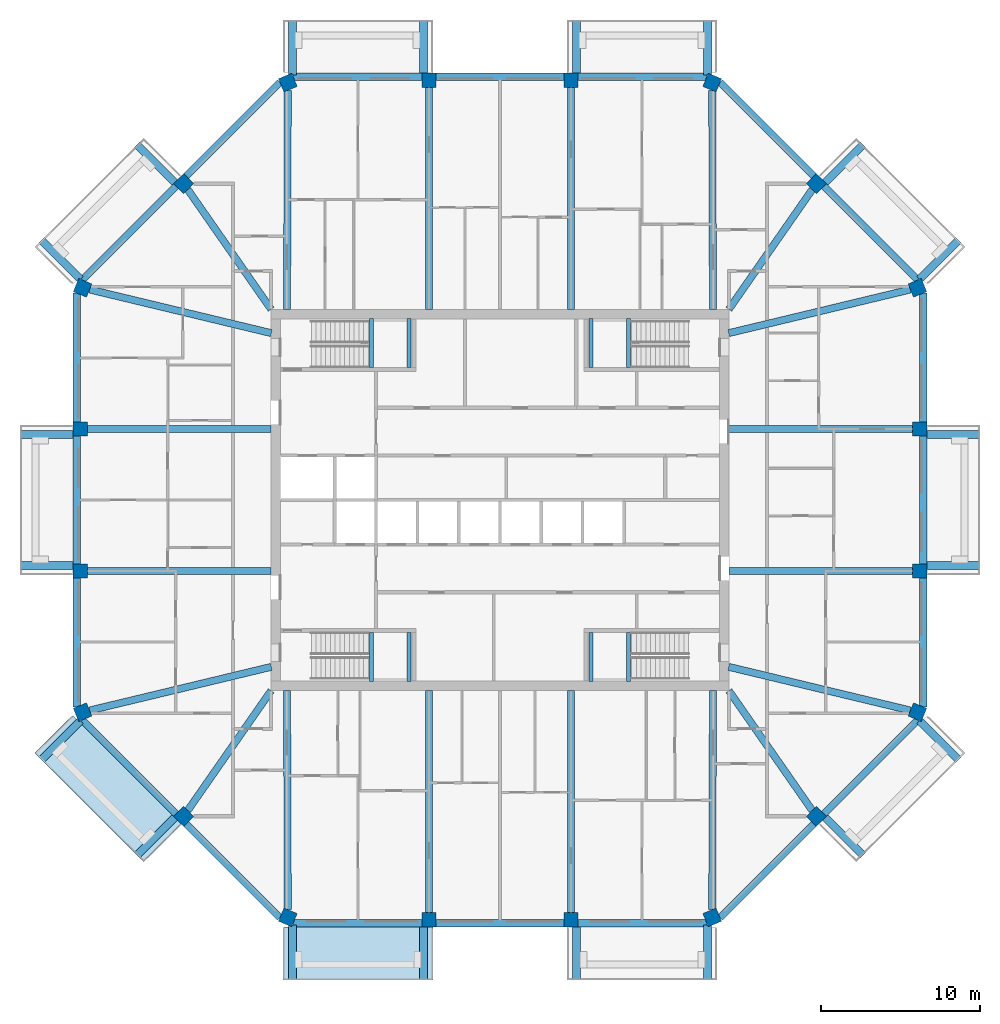
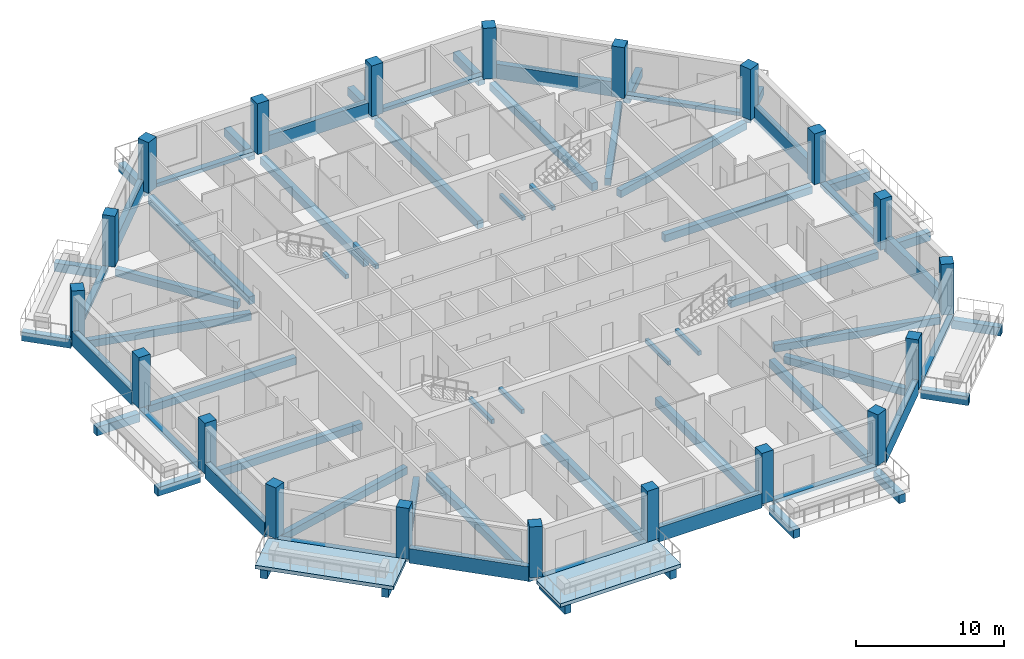
# One storey, part 1 of 13: 68 beams, 20 columns, 2 slabs.
"""IFC4 building model written with IfcOpenShell, lengths in metres."""

from ifc_helpers import new_model, si_unit, direction, frame, origin, origin_2d, place, context, subcontext, project, spatial, polyline, rectangle, outline, extrude, material, layer, layer_set, material_profile, profile_set, type_object, element, save


model = new_model("IFC4")

# Units and contexts
model_context = context("Model", 3, precision=1e-05, world=origin(), true_north=direction((0.0, 1.0)))
body_context = subcontext(model_context, "Body", "Model", "MODEL_VIEW")
ifc_project = project(units=[si_unit("LENGTHUNIT", "METRE"), si_unit("AREAUNIT", "SQUARE_METRE"), si_unit("VOLUMEUNIT", "CUBIC_METRE"), si_unit("PLANEANGLEUNIT", "RADIAN"), si_unit("MASSUNIT", "GRAM", prefix="KILO")], contexts=[model_context])

# Site, building, storey
site_placement = place(None, origin())
site = spatial("IfcSite", under=ifc_project, at=site_placement, CompositionType="ELEMENT")
building_placement = place(site_placement, origin())
building = spatial("IfcBuilding", under=site, at=building_placement, Name="Msitu Wima Residences", CompositionType="ELEMENT")
storey_placement = place(building_placement, frame((0.0, 0.0, 285.300048828125)))
storey = spatial("IfcBuildingStorey", under=building, at=storey_placement, Name="L66", CompositionType="ELEMENT", Elevation=285.300048828125)

# Columns
ifc_material_1 = material(Name="Concrete C50/60", Category="concrete")
ifc_material_profile_1 = material_profile(ifc_material_1, rectangle(XDim=0.89990234375, YDim=0.89990234375, at=origin_2d()), Name="RC 900x900")
ifc_profile_set_1 = profile_set([ifc_material_profile_1], Name="Concrete C50/60")
column_type = type_object("IfcColumnType", Name="Column RC 900x900 Concrete C50/60", PredefinedType="COLUMN", material=ifc_profile_set_1)
for number, where, z_axis, x_axis, name in (
    (1, (26.261962890625, -13.3486328125, 0.0), (0.0, 0.0, 1.0), (0.382683496864, 0.923879505795, 0.0), "Column L66 C-E0"),
    (2, (26.39990234375, -4.46875, 0.0), (0.0, 0.0, 1.0), (0.0, 1.0, 0.0), "Column L66 C-E1"),
    (3, (26.39990234375, 4.46875, 0.0), (0.0, 0.0, 1.0), (0.0, 1.0, 0.0), "Column L66 C-E2"),
    (4, (26.261962890625, 13.3486328125, 0.0), (0.0, 0.0, 1.0), (-0.382683496864, 0.923879505795, 0.0), "Column L66 C-NE0"),
    (5, (19.90283203125, 19.90283203125, 0.0), (0.0, 0.0, 1.0), (-0.707106781187, 0.707106781187, 0.0), "Column L66 C-NE1"),
    (6, (13.3486328125, 26.261962890625, 0.0), (0.0, 0.0, 1.0), (-0.923879505795, 0.382683496864, 0.0), "Column L66 C-N0"),
    (7, (4.46875, 26.39990234375, 0.0), (0.0, 0.0, 1.0), (-1.0, 0.0, 0.0), "Column L66 C-N1"),
    (8, (-4.46875, 26.39990234375, 0.0), (0.0, 0.0, 1.0), (-1.0, 0.0, 0.0), "Column L66 C-N2"),
    (9, (-13.3486328125, 26.261962890625, 0.0), (0.0, 0.0, 1.0), (-0.923879505795, -0.382683496864, 0.0), "Column L66 C-NW0"),
    (10, (-19.90283203125, 19.90283203125, 0.0), (0.0, 0.0, 1.0), (-0.707106781187, -0.707106781187, 0.0), "Column L66 C-NW1"),
    (11, (-26.261962890625, 13.3486328125, 0.0), (0.0, 0.0, 1.0), (-0.382683496864, -0.923879505795, 0.0), "Column L66 C-W0"),
    (12, (-26.39990234375, 4.46875, 0.0), (0.0, 0.0, 1.0), (0.0, -1.0, 0.0), "Column L66 C-W1"),
    (13, (-26.39990234375, -4.46875, 0.0), (0.0, 0.0, 1.0), (0.0, -1.0, 0.0), "Column L66 C-W2"),
    (14, (-26.261962890625, -13.3486328125, 0.0), (0.0, 0.0, 1.0), (0.382683496864, -0.923879505795, 0.0), "Column L66 C-SW0"),
    (15, (-19.90283203125, -19.90283203125, 0.0), (0.0, 0.0, 1.0), (0.707106781187, -0.707106781187, 0.0), "Column L66 C-SW1"),
    (16, (-13.3486328125, -26.261962890625, 0.0), (0.0, 0.0, 1.0), (0.923879505795, -0.382683496864, 0.0), "Column L66 C-S0"),
    (17, (-4.46875, -26.39990234375, 0.0), (0.0, 0.0, 1.0), (1.0, 0.0, 0.0), "Column L66 C-S1"),
    (18, (4.46875, -26.39990234375, 0.0), (0.0, 0.0, 1.0), (1.0, 0.0, 0.0), "Column L66 C-S2"),
    (19, (13.3486328125, -26.261962890625, 0.0), (0.0, 0.0, 1.0), (0.923879505795, 0.382683496864, 0.0), "Column L66 C-SE0"),
    (20, (19.90283203125, -19.90283203125, 0.0), (0.0, 0.0, 1.0), (0.707106781187, 0.707106781187, 0.0), "Column L66 C-SE1"),
):
    element("IfcColumn", number, at=place(storey_placement, frame(where, z_axis=z_axis, x_axis=x_axis)), inside=storey, type_object=column_type, Name=name, PredefinedType="COLUMN", context=body_context, shape_type="SweptSolid", body=[
        extrude(rectangle(XDim=0.89990234375, YDim=0.89990234375, at=origin_2d()), origin(), (0.0, 0.0, 1.0), 4.199951171875),
    ])

# Beams
ifc_material_profile_2 = material_profile(ifc_material_1, rectangle(XDim=0.449951171875, YDim=0.60009765625, at=origin_2d()), Name="RC 450x600")
ifc_profile_set_2 = profile_set([ifc_material_profile_2], Name="Concrete C50/60")
beam_type_1 = type_object("IfcBeamType", Name="Beam RC 450x600 Concrete C50/60", PredefinedType="BEAM", material=ifc_profile_set_2)
beam_1_placement = place(storey_placement, frame((25.819091796875, -13.242431640625, -0.550048828125), z_axis=(-0.972353359268, 0.233514335148, 0.0), x_axis=(-0.233514335148, -0.972353359268, 0.0)))
element("IfcBeam", 21, at=beam_1_placement, inside=storey, type_object=beam_type_1, Name="Beam L66 C-E0", PredefinedType="BEAM", context=body_context, shape_type="SweptSolid", body=[
    extrude(rectangle(XDim=0.449951171875, YDim=0.60009765625, at=origin_2d()), origin(), (0.0, 0.0, 1.0), 11.755615234375),
])
for number, where, z_axis, x_axis, name in (
    (22, (25.949951171875, -4.46875, -0.550048828125), (-1.0, 0.0, 0.0), (0.0, -1.0, 0.0), "Beam L66 C-E1"),
    (23, (25.949951171875, 4.46875, -0.550048828125), (-1.0, 0.0, 0.0), (0.0, -1.0, 0.0), "Beam L66 C-E2"),
):
    element("IfcBeam", number, at=place(storey_placement, frame(where, z_axis=z_axis, x_axis=x_axis)), inside=storey, type_object=beam_type_1, Name=name, PredefinedType="BEAM", context=body_context, shape_type="SweptSolid", body=[
        extrude(rectangle(XDim=0.449951171875, YDim=0.60009765625, at=origin_2d()), origin(), (0.0, 0.0, 1.0), 11.550048828125),
    ])
beam_2_placement = place(storey_placement, frame((25.819091796875, 13.242431640625, -0.550048828125), z_axis=(-0.972353359268, -0.233514335148, 0.0), x_axis=(0.233514335148, -0.972353359268, 0.0)))
element("IfcBeam", 24, at=beam_2_placement, inside=storey, type_object=beam_type_1, Name="Beam L66 C-NE0", PredefinedType="BEAM", context=body_context, shape_type="SweptSolid", body=[
    extrude(rectangle(XDim=0.449951171875, YDim=0.60009765625, at=origin_2d()), origin(), (0.0, 0.0, 1.0), 11.755615234375),
])
for number, where, z_axis, x_axis, name in (
    (25, (19.6416015625, 19.52783203125, -0.550048828125), (-0.571427822633, -0.820652328042, 0.0), (0.820652328042, -0.571427822633, 0.0), "Beam L66 C-NE1"),
    (26, (-19.6416015625, 19.52783203125, -0.550048828125), (0.571427822633, -0.820652328042, 0.0), (0.820652328042, 0.571427822633, 0.0), "Beam L66 C-NW1"),
):
    element("IfcBeam", number, at=place(storey_placement, frame(where, z_axis=z_axis, x_axis=x_axis)), inside=storey, type_object=beam_type_1, Name=name, PredefinedType="BEAM", context=body_context, shape_type="SweptSolid", body=[
        extrude(rectangle(XDim=0.449951171875, YDim=0.60009765625, at=origin_2d()), origin(), (0.0, 0.0, 1.0), 9.173095703125),
    ])
beam_3_placement = place(storey_placement, frame((-25.819091796875, 13.242431640625, -0.550048828125), z_axis=(0.972353359268, -0.233514335148, 0.0), x_axis=(0.233514335148, 0.972353359268, 0.0)))
element("IfcBeam", 27, at=beam_3_placement, inside=storey, type_object=beam_type_1, Name="Beam L66 C-W0", PredefinedType="BEAM", context=body_context, shape_type="SweptSolid", body=[
    extrude(rectangle(XDim=0.449951171875, YDim=0.60009765625, at=origin_2d()), origin(), (0.0, 0.0, 1.0), 11.755615234375),
])
for number, where, z_axis, x_axis, name in (
    (28, (-25.949951171875, 4.46875, -0.550048828125), (1.0, 0.0, 0.0), (0.0, 1.0, 0.0), "Beam L66 C-W1"),
    (29, (-25.949951171875, -4.46875, -0.550048828125), (1.0, 0.0, 0.0), (0.0, 1.0, 0.0), "Beam L66 C-W2"),
):
    element("IfcBeam", number, at=place(storey_placement, frame(where, z_axis=z_axis, x_axis=x_axis)), inside=storey, type_object=beam_type_1, Name=name, PredefinedType="BEAM", context=body_context, shape_type="SweptSolid", body=[
        extrude(rectangle(XDim=0.449951171875, YDim=0.60009765625, at=origin_2d()), origin(), (0.0, 0.0, 1.0), 11.550048828125),
    ])
beam_4_placement = place(storey_placement, frame((-25.819091796875, -13.242431640625, -0.550048828125), z_axis=(0.972353359268, 0.233514335148, 0.0), x_axis=(-0.233514335148, 0.972353359268, 0.0)))
element("IfcBeam", 30, at=beam_4_placement, inside=storey, type_object=beam_type_1, Name="Beam L66 C-SW0", PredefinedType="BEAM", context=body_context, shape_type="SweptSolid", body=[
    extrude(rectangle(XDim=0.449951171875, YDim=0.60009765625, at=origin_2d()), origin(), (0.0, 0.0, 1.0), 11.755615234375),
])
for number, where, z_axis, x_axis, name in (
    (31, (-19.6416015625, -19.52783203125, -0.550048828125), (0.571427822633, 0.820652328042, 0.0), (-0.820652328042, 0.571427822633, 0.0), "Beam L66 C-SW1"),
    (32, (19.6416015625, -19.52783203125, -0.550048828125), (-0.571427822633, 0.820652328042, 0.0), (-0.820652328042, -0.571427822633, 0.0), "Beam L66 C-SE1"),
):
    element("IfcBeam", number, at=place(storey_placement, frame(where, z_axis=z_axis, x_axis=x_axis)), inside=storey, type_object=beam_type_1, Name=name, PredefinedType="BEAM", context=body_context, shape_type="SweptSolid", body=[
        extrude(rectangle(XDim=0.449951171875, YDim=0.60009765625, at=origin_2d()), origin(), (0.0, 0.0, 1.0), 9.173095703125),
    ])
ifc_material_profile_3 = material_profile(ifc_material_1, rectangle(XDim=0.449951171875, YDim=0.64990234375, at=origin_2d()), Name="RC 450x650")
ifc_profile_set_3 = profile_set([ifc_material_profile_3], Name="Concrete C50/60")
beam_type_2 = type_object("IfcBeamType", Name="Beam RC 450x650 Concrete C50/60", PredefinedType="BEAM", material=ifc_profile_set_3)
beam_5_placement = place(storey_placement, frame((13.3505859375, 25.774169921875, -0.574951171875), z_axis=(0.003594933206, -0.999993538207, 0.0), x_axis=(0.999993538207, 0.003594933206, 0.0)))
element("IfcBeam", 33, at=beam_5_placement, inside=storey, type_object=beam_type_2, Name="Beam L66 C-N0", PredefinedType="BEAM", context=body_context, shape_type="SweptSolid", body=[
    extrude(rectangle(XDim=0.449951171875, YDim=0.64990234375, at=origin_2d()), origin(), (0.0, 0.0, 1.0), 13.7861328125),
])
for number, where, z_axis, x_axis, name in (
    (34, (4.46875, 25.949951171875, -0.574951171875), (0.0, -1.0, 0.0), (1.0, 0.0, 0.0), "Beam L66 C-N1"),
    (35, (-4.46875, 25.949951171875, -0.574951171875), (0.0, -1.0, 0.0), (1.0, 0.0, 0.0), "Beam L66 C-N2"),
):
    element("IfcBeam", number, at=place(storey_placement, frame(where, z_axis=z_axis, x_axis=x_axis)), inside=storey, type_object=beam_type_2, Name=name, PredefinedType="BEAM", context=body_context, shape_type="SweptSolid", body=[
        extrude(rectangle(XDim=0.449951171875, YDim=0.64990234375, at=origin_2d()), origin(), (0.0, 0.0, 1.0), 13.949951171875),
    ])
for number, where, z_axis, x_axis, name in (
    (36, (-13.3505859375, 25.774169921875, -0.574951171875), (-0.003594933206, -0.999993538207, 0.0), (0.999993538207, -0.003594933206, 0.0), "Beam L66 C-NW0"),
    (37, (-13.3505859375, -25.774169921875, -0.574951171875), (-0.003594933206, 0.999993538207, 0.0), (-0.999993538207, -0.003594933206, 0.0), "Beam L66 C-S0"),
):
    element("IfcBeam", number, at=place(storey_placement, frame(where, z_axis=z_axis, x_axis=x_axis)), inside=storey, type_object=beam_type_2, Name=name, PredefinedType="BEAM", context=body_context, shape_type="SweptSolid", body=[
        extrude(rectangle(XDim=0.449951171875, YDim=0.64990234375, at=origin_2d()), origin(), (0.0, 0.0, 1.0), 13.7861328125),
    ])
for number, where, z_axis, x_axis, name in (
    (38, (-4.46875, -25.949951171875, -0.574951171875), (0.0, 1.0, 0.0), (-1.0, 0.0, 0.0), "Beam L66 C-S1"),
    (39, (4.46875, -25.949951171875, -0.574951171875), (0.0, 1.0, 0.0), (-1.0, 0.0, 0.0), "Beam L66 C-S2"),
):
    element("IfcBeam", number, at=place(storey_placement, frame(where, z_axis=z_axis, x_axis=x_axis)), inside=storey, type_object=beam_type_2, Name=name, PredefinedType="BEAM", context=body_context, shape_type="SweptSolid", body=[
        extrude(rectangle(XDim=0.449951171875, YDim=0.64990234375, at=origin_2d()), origin(), (0.0, 0.0, 1.0), 13.949951171875),
    ])
beam_6_placement = place(storey_placement, frame((13.3505859375, -25.774169921875, -0.574951171875), z_axis=(0.003594933206, 0.999993538207, 0.0), x_axis=(-0.999993538207, 0.003594933206, 0.0)))
element("IfcBeam", 40, at=beam_6_placement, inside=storey, type_object=beam_type_2, Name="Beam L66 C-SE0", PredefinedType="BEAM", context=body_context, shape_type="SweptSolid", body=[
    extrude(rectangle(XDim=0.449951171875, YDim=0.64990234375, at=origin_2d()), origin(), (0.0, 0.0, 1.0), 13.7861328125),
])
ifc_material_profile_4 = material_profile(ifc_material_1, rectangle(XDim=0.5, YDim=0.699951171875, at=origin_2d()), Name="RC 500x700")
ifc_profile_set_4 = profile_set([ifc_material_profile_4], Name="Concrete C50/60")
beam_type_3 = type_object("IfcBeamType", Name="Cantilever beam RC 500x700 Concrete C50/60", PredefinedType="BEAM", material=ifc_profile_set_4)
for number, where, z_axis, x_axis, name in (
    (41, (26.85009765625, -4.11865234375, -0.650146484375), (1.0, 0.0, 0.0), (0.0, 1.0, 0.0), "Cantilever beam L66 BA-E1 A"),
    (42, (26.85009765625, 4.11865234375, -0.650146484375), (1.0, 0.0, 0.0), (0.0, 1.0, 0.0), "Cantilever beam L66 BA-E1 B"),
):
    element("IfcBeam", number, at=place(storey_placement, frame(where, z_axis=z_axis, x_axis=x_axis)), inside=storey, type_object=beam_type_3, Name=name, PredefinedType="BEAM", context=body_context, shape_type="SweptSolid", body=[
        extrude(rectangle(XDim=0.5, YDim=0.699951171875, at=origin_2d()), origin(), (0.0, 0.0, 1.0), 3.349853515625),
    ])
beam_7_placement = place(storey_placement, frame((26.386474609375, 13.887451171875, -0.650146484375), z_axis=(0.707141968506, 0.707071592116, 0.0), x_axis=(-0.707071592116, 0.707141968506, 0.0)))
element("IfcBeam", 43, at=beam_7_placement, inside=storey, type_object=beam_type_3, Name="Cantilever beam L66 BA-NE0 A", PredefinedType="BEAM", context=body_context, shape_type="SweptSolid", body=[
    extrude(rectangle(XDim=0.5, YDim=0.699951171875, at=origin_2d()), origin(), (0.0, 0.0, 1.0), 3.468994140625),
])
beam_8_placement = place(storey_placement, frame((20.46875, 19.9736328125, -0.650146484375), z_axis=(0.707070340836, 0.707143219659, 0.0), x_axis=(-0.707143219659, 0.707070340836, 0.0)))
element("IfcBeam", 44, at=beam_8_placement, inside=storey, type_object=beam_type_3, Name="Cantilever beam L66 BA-NE0 B", PredefinedType="BEAM", context=body_context, shape_type="SweptSolid", body=[
    extrude(rectangle(XDim=0.5, YDim=0.699951171875, at=origin_2d()), origin(), (0.0, 0.0, 1.0), 3.349853515625),
])
beam_9_placement = place(storey_placement, frame((13.055908203125, 26.73095703125, -0.650146484375), z_axis=(0.0, 1.0, 0.0), x_axis=(-1.0, 0.0, 0.0)))
element("IfcBeam", 45, at=beam_9_placement, inside=storey, type_object=beam_type_3, Name="Cantilever beam L66 BA-N0 A", PredefinedType="BEAM", context=body_context, shape_type="SweptSolid", body=[
    extrude(rectangle(XDim=0.5, YDim=0.699951171875, at=origin_2d()), origin(), (0.0, 0.0, 1.0), 3.468994140625),
])
for number, where, z_axis, x_axis, name in (
    (46, (4.818603515625, 26.85009765625, -0.650146484375), (0.0, 1.0, 0.0), (-1.0, 0.0, 0.0), "Cantilever beam L66 BA-N0 B"),
    (47, (-4.818603515625, 26.85009765625, -0.650146484375), (0.0, 1.0, 0.0), (-1.0, 0.0, 0.0), "Cantilever beam L66 BA-N2 A"),
):
    element("IfcBeam", number, at=place(storey_placement, frame(where, z_axis=z_axis, x_axis=x_axis)), inside=storey, type_object=beam_type_3, Name=name, PredefinedType="BEAM", context=body_context, shape_type="SweptSolid", body=[
        extrude(rectangle(XDim=0.5, YDim=0.699951171875, at=origin_2d()), origin(), (0.0, 0.0, 1.0), 3.349853515625),
    ])
beam_10_placement = place(storey_placement, frame((-13.055908203125, 26.73095703125, -0.650146484375), z_axis=(0.0, 1.0, 0.0), x_axis=(-1.0, 0.0, 0.0)))
element("IfcBeam", 48, at=beam_10_placement, inside=storey, type_object=beam_type_3, Name="Cantilever beam L66 BA-N2 B", PredefinedType="BEAM", context=body_context, shape_type="SweptSolid", body=[
    extrude(rectangle(XDim=0.5, YDim=0.699951171875, at=origin_2d()), origin(), (0.0, 0.0, 1.0), 3.468994140625),
])
beam_11_placement = place(storey_placement, frame((-20.46875, 19.9736328125, -0.650146484375), z_axis=(-0.707070340836, 0.707143219659, 0.0), x_axis=(-0.707143219659, -0.707070340836, 0.0)))
element("IfcBeam", 49, at=beam_11_placement, inside=storey, type_object=beam_type_3, Name="Cantilever beam L66 BA-NW1 A", PredefinedType="BEAM", context=body_context, shape_type="SweptSolid", body=[
    extrude(rectangle(XDim=0.5, YDim=0.699951171875, at=origin_2d()), origin(), (0.0, 0.0, 1.0), 3.349853515625),
])
beam_12_placement = place(storey_placement, frame((-26.386474609375, 13.887451171875, -0.650146484375), z_axis=(-0.707141968506, 0.707071592116, 0.0), x_axis=(-0.707071592116, -0.707141968506, 0.0)))
element("IfcBeam", 50, at=beam_12_placement, inside=storey, type_object=beam_type_3, Name="Cantilever beam L66 BA-NW1 B", PredefinedType="BEAM", context=body_context, shape_type="SweptSolid", body=[
    extrude(rectangle(XDim=0.5, YDim=0.699951171875, at=origin_2d()), origin(), (0.0, 0.0, 1.0), 3.468994140625),
])
for number, where, z_axis, x_axis, name in (
    (51, (-26.85009765625, 4.11865234375, -0.650146484375), (-1.0, 0.0, 0.0), (0.0, -1.0, 0.0), "Cantilever beam L66 BA-W1 A"),
    (52, (-26.85009765625, -4.11865234375, -0.650146484375), (-1.0, 0.0, 0.0), (0.0, -1.0, 0.0), "Cantilever beam L66 BA-W1 B"),
):
    element("IfcBeam", number, at=place(storey_placement, frame(where, z_axis=z_axis, x_axis=x_axis)), inside=storey, type_object=beam_type_3, Name=name, PredefinedType="BEAM", context=body_context, shape_type="SweptSolid", body=[
        extrude(rectangle(XDim=0.5, YDim=0.699951171875, at=origin_2d()), origin(), (0.0, 0.0, 1.0), 3.349853515625),
    ])
beam_13_placement = place(storey_placement, frame((-26.386474609375, -13.887451171875, -0.650146484375), z_axis=(-0.707141968506, -0.707071592116, 0.0), x_axis=(0.707071592116, -0.707141968506, 0.0)))
element("IfcBeam", 53, at=beam_13_placement, inside=storey, type_object=beam_type_3, Name="Cantilever beam L66 BA-SW0 A", PredefinedType="BEAM", context=body_context, shape_type="SweptSolid", body=[
    extrude(rectangle(XDim=0.5, YDim=0.699951171875, at=origin_2d()), origin(), (0.0, 0.0, 1.0), 3.468994140625),
])
beam_14_placement = place(storey_placement, frame((-20.46875, -19.9736328125, -0.650146484375), z_axis=(-0.707070340836, -0.707143219659, 0.0), x_axis=(0.707143219659, -0.707070340836, 0.0)))
element("IfcBeam", 54, at=beam_14_placement, inside=storey, type_object=beam_type_3, Name="Cantilever beam L66 BA-SW0 B", PredefinedType="BEAM", context=body_context, shape_type="SweptSolid", body=[
    extrude(rectangle(XDim=0.5, YDim=0.699951171875, at=origin_2d()), origin(), (0.0, 0.0, 1.0), 3.349853515625),
])
beam_15_placement = place(storey_placement, frame((-13.055908203125, -26.73095703125, -0.650146484375), z_axis=(0.0, -1.0, 0.0), x_axis=(1.0, 0.0, 0.0)))
element("IfcBeam", 55, at=beam_15_placement, inside=storey, type_object=beam_type_3, Name="Cantilever beam L66 BA-S0 A", PredefinedType="BEAM", context=body_context, shape_type="SweptSolid", body=[
    extrude(rectangle(XDim=0.5, YDim=0.699951171875, at=origin_2d()), origin(), (0.0, 0.0, 1.0), 3.468994140625),
])
for number, where, z_axis, x_axis, name in (
    (56, (-4.818603515625, -26.85009765625, -0.650146484375), (0.0, -1.0, 0.0), (1.0, 0.0, 0.0), "Cantilever beam L66 BA-S0 B"),
    (57, (4.818603515625, -26.85009765625, -0.650146484375), (0.0, -1.0, 0.0), (1.0, 0.0, 0.0), "Cantilever beam L66 BA-S2 A"),
):
    element("IfcBeam", number, at=place(storey_placement, frame(where, z_axis=z_axis, x_axis=x_axis)), inside=storey, type_object=beam_type_3, Name=name, PredefinedType="BEAM", context=body_context, shape_type="SweptSolid", body=[
        extrude(rectangle(XDim=0.5, YDim=0.699951171875, at=origin_2d()), origin(), (0.0, 0.0, 1.0), 3.349853515625),
    ])
beam_16_placement = place(storey_placement, frame((13.055908203125, -26.73095703125, -0.650146484375), z_axis=(0.0, -1.0, 0.0), x_axis=(1.0, 0.0, 0.0)))
element("IfcBeam", 58, at=beam_16_placement, inside=storey, type_object=beam_type_3, Name="Cantilever beam L66 BA-S2 B", PredefinedType="BEAM", context=body_context, shape_type="SweptSolid", body=[
    extrude(rectangle(XDim=0.5, YDim=0.699951171875, at=origin_2d()), origin(), (0.0, 0.0, 1.0), 3.468994140625),
])
beam_17_placement = place(storey_placement, frame((20.46875, -19.9736328125, -0.650146484375), z_axis=(0.707070340836, -0.707143219659, 0.0), x_axis=(0.707143219659, 0.707070340836, 0.0)))
element("IfcBeam", 59, at=beam_17_placement, inside=storey, type_object=beam_type_3, Name="Cantilever beam L66 BA-SE1 A", PredefinedType="BEAM", context=body_context, shape_type="SweptSolid", body=[
    extrude(rectangle(XDim=0.5, YDim=0.699951171875, at=origin_2d()), origin(), (0.0, 0.0, 1.0), 3.349853515625),
])
beam_18_placement = place(storey_placement, frame((26.386474609375, -13.887451171875, -0.650146484375), z_axis=(0.707141968506, -0.707071592116, 0.0), x_axis=(0.707071592116, 0.707141968506, 0.0)))
element("IfcBeam", 60, at=beam_18_placement, inside=storey, type_object=beam_type_3, Name="Cantilever beam L66 BA-SE1 B", PredefinedType="BEAM", context=body_context, shape_type="SweptSolid", body=[
    extrude(rectangle(XDim=0.5, YDim=0.699951171875, at=origin_2d()), origin(), (0.0, 0.0, 1.0), 3.468994140625),
])
ifc_material_profile_5 = material_profile(ifc_material_1, rectangle(XDim=0.449951171875, YDim=0.300048828125, at=origin_2d()), Name="RC 450x300")
ifc_profile_set_5 = profile_set([ifc_material_profile_5], Name="Concrete C50/60")
beam_type_4 = type_object("IfcBeamType", Name="Edge beam RC 450x300 Concrete C50/60", PredefinedType="SPANDREL", material=ifc_profile_set_5)
beam_19_placement = place(storey_placement, frame((26.625, -4.0185546875, -0.150146484375), z_axis=(0.0, 1.0, 0.0), x_axis=(-1.0, 0.0, 0.0)))
element("IfcBeam", 61, at=beam_19_placement, inside=storey, type_object=beam_type_4, Name="Spandrel L66 E1", PredefinedType="SPANDREL", context=body_context, shape_type="SweptSolid", body=[
    extrude(rectangle(XDim=0.449951171875, YDim=0.300048828125, at=origin_2d()), origin(), (0.0, 0.0, 1.0), 8.037109375),
])
beam_20_placement = place(storey_placement, frame((26.2890625, 13.8349609375, -0.150146484375), z_axis=(-0.707106781187, 0.707106781187, 0.0), x_axis=(-0.707106781187, -0.707106781187, 0.0)))
element("IfcBeam", 62, at=beam_20_placement, inside=storey, type_object=beam_type_4, Name="Spandrel L66 NE0", PredefinedType="SPANDREL", context=body_context, shape_type="SweptSolid", body=[
    extrude(rectangle(XDim=0.449951171875, YDim=0.300048828125, at=origin_2d()), origin(), (0.0, 0.0, 1.0), 8.3564453125),
])
for number, where, z_axis, x_axis, name in (
    (63, (13.02392578125, 26.625, -0.150146484375), (-1.0, 0.0, 0.0), (0.0, -1.0, 0.0), "Spandrel L66 N0"),
    (64, (-4.918701171875, 26.625, -0.150146484375), (-1.0, 0.0, 0.0), (0.0, -1.0, 0.0), "Spandrel L66 N2"),
):
    element("IfcBeam", number, at=place(storey_placement, frame(where, z_axis=z_axis, x_axis=x_axis)), inside=storey, type_object=beam_type_4, Name=name, PredefinedType="SPANDREL", context=body_context, shape_type="SweptSolid", body=[
        extrude(rectangle(XDim=0.449951171875, YDim=0.300048828125, at=origin_2d()), origin(), (0.0, 0.0, 1.0), 8.105224609375),
    ])
beam_21_placement = place(storey_placement, frame((-20.380126953125, 19.743896484375, -0.150146484375), z_axis=(-0.707106781187, -0.707106781187, 0.0), x_axis=(0.707106781187, -0.707106781187, 0.0)))
element("IfcBeam", 65, at=beam_21_placement, inside=storey, type_object=beam_type_4, Name="Spandrel L66 NW1", PredefinedType="SPANDREL", context=body_context, shape_type="SweptSolid", body=[
    extrude(rectangle(XDim=0.449951171875, YDim=0.300048828125, at=origin_2d()), origin(), (0.0, 0.0, 1.0), 8.3564453125),
])
beam_22_placement = place(storey_placement, frame((-26.625, 4.0185546875, -0.150146484375), z_axis=(0.0, -1.0, 0.0), x_axis=(1.0, 0.0, 0.0)))
element("IfcBeam", 66, at=beam_22_placement, inside=storey, type_object=beam_type_4, Name="Spandrel L66 W1", PredefinedType="SPANDREL", context=body_context, shape_type="SweptSolid", body=[
    extrude(rectangle(XDim=0.449951171875, YDim=0.300048828125, at=origin_2d()), origin(), (0.0, 0.0, 1.0), 8.037109375),
])
beam_23_placement = place(storey_placement, frame((-26.2890625, -13.8349609375, -0.150146484375), z_axis=(0.707106781187, -0.707106781187, 0.0), x_axis=(0.707106781187, 0.707106781187, 0.0)))
element("IfcBeam", 67, at=beam_23_placement, inside=storey, type_object=beam_type_4, Name="Spandrel L66 SW0", PredefinedType="SPANDREL", context=body_context, shape_type="SweptSolid", body=[
    extrude(rectangle(XDim=0.449951171875, YDim=0.300048828125, at=origin_2d()), origin(), (0.0, 0.0, 1.0), 8.3564453125),
])
for number, where, z_axis, x_axis, name in (
    (68, (-13.02392578125, -26.625, -0.150146484375), (1.0, 0.0, 0.0), (0.0, 1.0, 0.0), "Spandrel L66 S0"),
    (69, (4.918701171875, -26.625, -0.150146484375), (1.0, 0.0, 0.0), (0.0, 1.0, 0.0), "Spandrel L66 S2"),
):
    element("IfcBeam", number, at=place(storey_placement, frame(where, z_axis=z_axis, x_axis=x_axis)), inside=storey, type_object=beam_type_4, Name=name, PredefinedType="SPANDREL", context=body_context, shape_type="SweptSolid", body=[
        extrude(rectangle(XDim=0.449951171875, YDim=0.300048828125, at=origin_2d()), origin(), (0.0, 0.0, 1.0), 8.105224609375),
    ])
beam_24_placement = place(storey_placement, frame((20.380126953125, -19.743896484375, -0.150146484375), z_axis=(0.707106781187, 0.707106781187, 0.0), x_axis=(-0.707106781187, 0.707106781187, 0.0)))
element("IfcBeam", 70, at=beam_24_placement, inside=storey, type_object=beam_type_4, Name="Spandrel L66 SE1", PredefinedType="SPANDREL", context=body_context, shape_type="SweptSolid", body=[
    extrude(rectangle(XDim=0.449951171875, YDim=0.300048828125, at=origin_2d()), origin(), (0.0, 0.0, 1.0), 8.3564453125),
])
ifc_material_2 = material(Name="Concrete C40/50", Category="concrete")
ifc_material_profile_6 = material_profile(ifc_material_2, rectangle(XDim=0.25, YDim=0.35009765625, at=origin_2d()), Name="RC 250x350")
ifc_profile_set_6 = profile_set([ifc_material_profile_6], Name="Concrete C40/50")
beam_type_5 = type_object("IfcBeamType", Name="Landing beam RC 250x350", PredefinedType="BEAM", material=ifc_profile_set_6)
for number, where, z_axis, x_axis, name in (
    (71, (-8.074951171875, 8.324951171875, 1.724853515625), (0.0, 1.0, 0.0), (-1.0, 0.0, 0.0), "Stair 1 landing beam"),
    (72, (-5.72509765625, 8.324951171875, 1.724853515625), (0.0, 1.0, 0.0), (-1.0, 0.0, 0.0), "Stair 1 landing beam"),
    (73, (-8.074951171875, -11.425048828125, 1.724853515625), (0.0, 1.0, 0.0), (-1.0, 0.0, 0.0), "Stair 2 landing beam"),
    (74, (-5.72509765625, -11.425048828125, 1.724853515625), (0.0, 1.0, 0.0), (-1.0, 0.0, 0.0), "Stair 2 landing beam"),
    (75, (8.074951171875, 8.324951171875, 1.724853515625), (0.0, 1.0, 0.0), (-1.0, 0.0, 0.0), "Stair 3 landing beam"),
    (76, (5.72509765625, 8.324951171875, 1.724853515625), (0.0, 1.0, 0.0), (-1.0, 0.0, 0.0), "Stair 3 landing beam"),
    (77, (8.074951171875, -11.425048828125, 1.724853515625), (0.0, 1.0, 0.0), (-1.0, 0.0, 0.0), "Stair 4 landing beam"),
    (78, (5.72509765625, -11.425048828125, 1.724853515625), (0.0, 1.0, 0.0), (-1.0, 0.0, 0.0), "Stair 4 landing beam"),
):
    element("IfcBeam", number, at=place(storey_placement, frame(where, z_axis=z_axis, x_axis=x_axis)), inside=storey, type_object=beam_type_5, Name=name, PredefinedType="BEAM", context=body_context, shape_type="SweptSolid", body=[
        extrude(rectangle(XDim=0.25, YDim=0.35009765625, at=origin_2d()), origin(), (0.0, 0.0, 1.0), 3.10009765625),
    ])
ifc_material_profile_7 = material_profile(ifc_material_1, rectangle(XDim=0.449951171875, YDim=1.199951171875, at=origin_2d()), Name="RC 450x1200")
ifc_profile_set_7 = profile_set([ifc_material_profile_7], Name="Concrete C50/60")
beam_type_6 = type_object("IfcBeamType", Name="Spandrel RC 450x1200 Concrete C50/60", PredefinedType="SPANDREL", material=ifc_profile_set_7)
for number, where, z_axis, x_axis, name in (
    (79, (26.625, -13.02392578125, 0.300048828125), (0.0, 1.0, 0.0), (-1.0, 0.0, 0.0), "Spandrel L66 E0"),
    (80, (26.625, 4.918701171875, 0.300048828125), (0.0, 1.0, 0.0), (-1.0, 0.0, 0.0), "Spandrel L66 E2"),
):
    element("IfcBeam", number, at=place(storey_placement, frame(where, z_axis=z_axis, x_axis=x_axis)), inside=storey, type_object=beam_type_6, Name=name, PredefinedType="SPANDREL", context=body_context, shape_type="SweptSolid", body=[
        extrude(rectangle(XDim=0.449951171875, YDim=1.199951171875, at=origin_2d()), origin(), (0.0, 0.0, 1.0), 8.105224609375),
    ])
beam_25_placement = place(storey_placement, frame((19.743896484375, 20.380126953125, 0.300048828125), z_axis=(-0.707106781187, 0.707106781187, 0.0), x_axis=(-0.707106781187, -0.707106781187, 0.0)))
element("IfcBeam", 81, at=beam_25_placement, inside=storey, type_object=beam_type_6, Name="Spandrel L66 NE1", PredefinedType="SPANDREL", context=body_context, shape_type="SweptSolid", body=[
    extrude(rectangle(XDim=0.449951171875, YDim=1.199951171875, at=origin_2d()), origin(), (0.0, 0.0, 1.0), 8.3564453125),
])
beam_26_placement = place(storey_placement, frame((4.0185546875, 26.625, 0.300048828125), z_axis=(-1.0, 0.0, 0.0), x_axis=(0.0, -1.0, 0.0)))
element("IfcBeam", 82, at=beam_26_placement, inside=storey, type_object=beam_type_6, Name="Spandrel L66 N1", PredefinedType="SPANDREL", context=body_context, shape_type="SweptSolid", body=[
    extrude(rectangle(XDim=0.449951171875, YDim=1.199951171875, at=origin_2d()), origin(), (0.0, 0.0, 1.0), 8.037109375),
])
beam_27_placement = place(storey_placement, frame((-13.8349609375, 26.2890625, 0.300048828125), z_axis=(-0.707106781187, -0.707106781187, 0.0), x_axis=(0.707106781187, -0.707106781187, 0.0)))
element("IfcBeam", 83, at=beam_27_placement, inside=storey, type_object=beam_type_6, Name="Spandrel L66 NW0", PredefinedType="SPANDREL", context=body_context, shape_type="SweptSolid", body=[
    extrude(rectangle(XDim=0.449951171875, YDim=1.199951171875, at=origin_2d()), origin(), (0.0, 0.0, 1.0), 8.3564453125),
])
for number, where, z_axis, x_axis, name in (
    (84, (-26.625, 13.02392578125, 0.300048828125), (0.0, -1.0, 0.0), (1.0, 0.0, 0.0), "Spandrel L66 W0"),
    (85, (-26.625, -4.918701171875, 0.300048828125), (0.0, -1.0, 0.0), (1.0, 0.0, 0.0), "Spandrel L66 W2"),
):
    element("IfcBeam", number, at=place(storey_placement, frame(where, z_axis=z_axis, x_axis=x_axis)), inside=storey, type_object=beam_type_6, Name=name, PredefinedType="SPANDREL", context=body_context, shape_type="SweptSolid", body=[
        extrude(rectangle(XDim=0.449951171875, YDim=1.199951171875, at=origin_2d()), origin(), (0.0, 0.0, 1.0), 8.105224609375),
    ])
beam_28_placement = place(storey_placement, frame((-19.743896484375, -20.380126953125, 0.300048828125), z_axis=(0.707106781187, -0.707106781187, 0.0), x_axis=(0.707106781187, 0.707106781187, 0.0)))
element("IfcBeam", 86, at=beam_28_placement, inside=storey, type_object=beam_type_6, Name="Spandrel L66 SW1", PredefinedType="SPANDREL", context=body_context, shape_type="SweptSolid", body=[
    extrude(rectangle(XDim=0.449951171875, YDim=1.199951171875, at=origin_2d()), origin(), (0.0, 0.0, 1.0), 8.3564453125),
])
beam_29_placement = place(storey_placement, frame((-4.0185546875, -26.625, 0.300048828125), z_axis=(1.0, 0.0, 0.0), x_axis=(0.0, 1.0, 0.0)))
element("IfcBeam", 87, at=beam_29_placement, inside=storey, type_object=beam_type_6, Name="Spandrel L66 S1", PredefinedType="SPANDREL", context=body_context, shape_type="SweptSolid", body=[
    extrude(rectangle(XDim=0.449951171875, YDim=1.199951171875, at=origin_2d()), origin(), (0.0, 0.0, 1.0), 8.037109375),
])
beam_30_placement = place(storey_placement, frame((13.8349609375, -26.2890625, 0.300048828125), z_axis=(0.707106781187, 0.707106781187, 0.0), x_axis=(-0.707106781187, 0.707106781187, 0.0)))
element("IfcBeam", 88, at=beam_30_placement, inside=storey, type_object=beam_type_6, Name="Spandrel L66 SE0", PredefinedType="SPANDREL", context=body_context, shape_type="SweptSolid", body=[
    extrude(rectangle(XDim=0.449951171875, YDim=1.199951171875, at=origin_2d()), origin(), (0.0, 0.0, 1.0), 8.3564453125),
])

# Slabs
ifc_layer = layer(ifc_material_2, 0.300048828125)
ifc_layer_set = layer_set([ifc_layer], Name="Concrete C40/50")
slab_type = type_object("IfcSlabType", Name="Balcony slab BS300", PredefinedType="FLOOR", material=ifc_layer_set)
slab_1_placement = place(storey_placement, frame((0.0, 0.0, -0.300048828125)))
element("IfcSlab", 89, at=slab_1_placement, inside=storey, type_object=slab_type, Name="Balcony SW0 L66", PredefinedType="FLOOR", context=body_context, shape_type="SweptSolid", body=[
    extrude(outline(polyline([(-26.505615234375, -13.936767578125), (-26.505615234375, -13.936767578125), (-20.04443359375, -20.39794921875), (-22.4130859375, -22.766845703125), (-29.263671875, -15.916015625), (-27.003662109375, -13.656005859375), (-26.85009765625, -13.59228515625), (-26.505615234375, -13.936767578125), (-26.505615234375, -13.936767578125)])), origin(), (0.0, 0.0, 1.0), 0.300048828125),
])
slab_2_placement = place(storey_placement, frame((0.0, 0.0, -0.300048828125)))
element("IfcSlab", 90, at=slab_2_placement, inside=storey, type_object=slab_type, Name="Balcony S0 L66", PredefinedType="FLOOR", context=body_context, shape_type="SweptSolid", body=[
    extrude(outline(polyline([(-13.105224609375, -26.85009765625), (-13.105224609375, -26.85009765625), (-4.918701171875, -26.85009765625), (-4.21875, -26.85009765625), (-4.21875, -30.199951171875), (-13.656005859375, -30.199951171875), (-13.656005859375, -27.003662109375), (-13.59228515625, -26.85009765625), (-13.105224609375, -26.85009765625), (-13.105224609375, -26.85009765625)])), origin(), (0.0, 0.0, 1.0), 0.300048828125),
])

save(model, "model.ifc")
